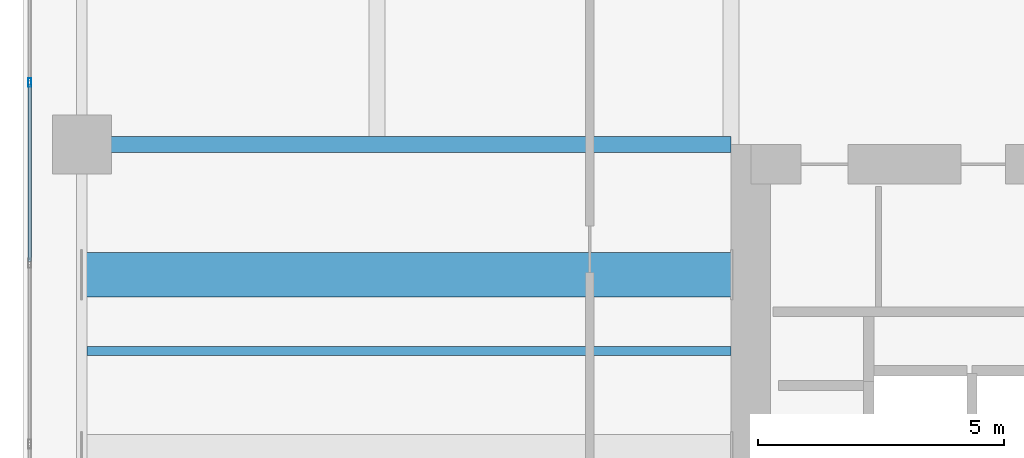
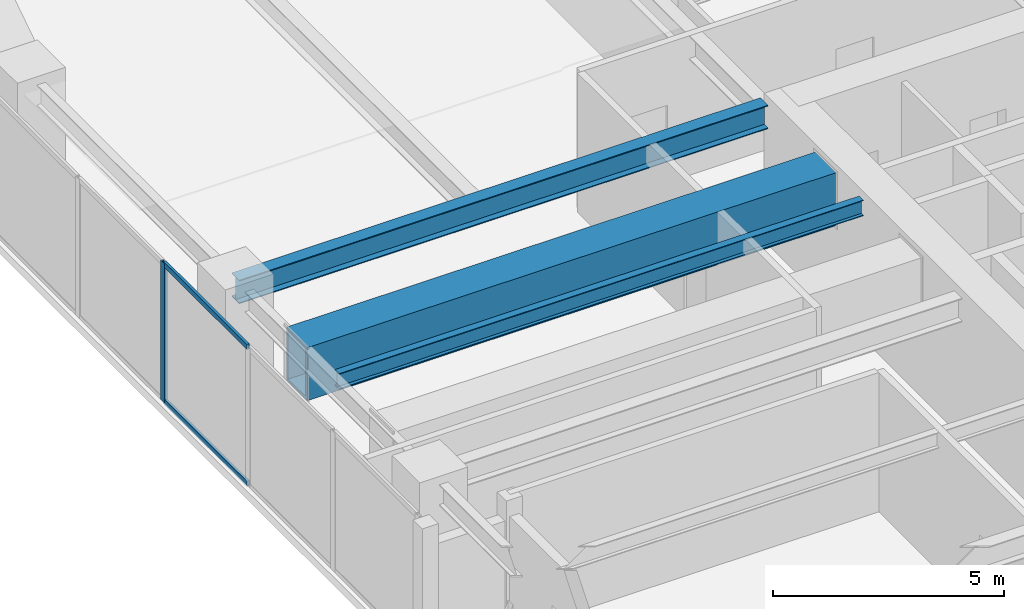
# One storey, part 6 of 30: 3 beams, 3 members, 1 element without a shape of its own.
"""IFC4 building model written with IfcOpenShell, lengths in metres."""

from ifc_helpers import new_model, si_unit, direction, frame, origin, origin_2d, place, context, subcontext, project, spatial, hollow_rectangle, i_section, extrude, material, layer, layer_set, material_profile, profile_set, type_object, element, aggregate, save


model = new_model("IFC4")

# Units and contexts
model_context = context("Model", 3, precision=1e-05, world=origin(), true_north=direction((0.0, 1.0)))
body_context = subcontext(model_context, "Body", "Model", "MODEL_VIEW")
ifc_project = project(units=[si_unit("LENGTHUNIT", "METRE"), si_unit("AREAUNIT", "SQUARE_METRE"), si_unit("VOLUMEUNIT", "CUBIC_METRE"), si_unit("PLANEANGLEUNIT", "RADIAN"), si_unit("MASSUNIT", "GRAM", prefix="KILO")], contexts=[model_context])

# Site, building, storey
site_placement = place(None, origin())
site = spatial("IfcSite", under=ifc_project, at=site_placement, CompositionType="ELEMENT")
building_placement = place(site_placement, origin())
building = spatial("IfcBuilding", under=site, at=building_placement, Name="Kiyonajd Concourse Tower", CompositionType="ELEMENT")
storey_placement = place(building_placement, frame((0.0, 0.0, 177.89990234375)))
storey = spatial("IfcBuildingStorey", under=building, at=storey_placement, Name="L45", CompositionType="ELEMENT", Elevation=177.89990234375)

# Beams
ifc_material_1 = material(Name="Steel ASTM A992 Grade 50", Category="steel")
ifc_material_profile_1 = material_profile(ifc_material_1, i_section(OverallWidth=0.180908203125, OverallDepth=0.4169921875, WebThickness=0.010986328125, FlangeThickness=0.018310546875, at=origin_2d()), Name="W410X85")
ifc_profile_set_1 = profile_set([ifc_material_profile_1], Name="Steel ASTM A992 Grade 50")
beam_type_1 = type_object("IfcBeamType", Name="BM-JST-410", PredefinedType="JOIST", material=ifc_profile_set_1)
beam_1_placement = place(storey_placement, frame((19.306884765625, 40.199951171875, 3.4716796875), z_axis=(1.0, 0.0, 0.0), x_axis=(0.0, 1.0, 0.0)))
element("IfcBeam", 1, at=beam_1_placement, inside=storey, type_object=beam_type_1, Name="L45 West Secondary Floor Joist", PredefinedType="JOIST", context=body_context, shape_type="SweptSolid", body=[
    extrude(i_section(OverallWidth=0.180908203125, OverallDepth=0.4169921875, WebThickness=0.010986328125, FlangeThickness=0.018310546875, at=origin_2d()), origin(), (0.0, 0.0, 1.0), 13.093017578125),
])
ifc_material_profile_2 = material_profile(ifc_material_1, i_section(OverallWidth=0.326904296875, OverallDepth=0.6220703125, WebThickness=0.015380859375, FlangeThickness=0.0244140625, at=origin_2d()), Name="W610X195")
ifc_profile_set_2 = profile_set([ifc_material_profile_2], Name="Steel ASTM A992 Grade 50")
beam_type_2 = type_object("IfcBeamType", Name="BM-TWR-610A", PredefinedType="BEAM", material=ifc_profile_set_2)
beam_2_placement = place(storey_placement, frame((19.199951171875, 44.39990234375, 3.369140625), z_axis=(1.0, 0.0, 0.0), x_axis=(0.0, 1.0, 0.0)))
element("IfcBeam", 2, at=beam_2_placement, inside=storey, type_object=beam_type_2, Name="L45 West Lease Girder", PredefinedType="BEAM", context=body_context, shape_type="SweptSolid", body=[
    extrude(i_section(OverallWidth=0.326904296875, OverallDepth=0.6220703125, WebThickness=0.015380859375, FlangeThickness=0.0244140625, at=origin_2d()), origin(), (0.0, 0.0, 1.0), 13.199951171875),
])
ifc_material_2 = material(Name="Steel ASTM A572 Grade 50", Category="steel")
ifc_material_profile_3 = material_profile(ifc_material_2, hollow_rectangle(XDim=0.89990234375, YDim=1.39990234375, WallThickness=0.070068359375, at=origin_2d()), Name="BOX-1400x900x70")
ifc_profile_set_3 = profile_set([ifc_material_profile_3], Name="Steel ASTM A572 Grade 50")
beam_type_3 = type_object("IfcBeamType", Name="BM-XFER-1400", PredefinedType="BEAM", material=ifc_profile_set_3)
beam_3_placement = place(storey_placement, frame((19.199951171875, 41.75, 2.97998046875), z_axis=(1.0, 0.0, 0.0), x_axis=(0.0, 1.0, 0.0)))
element("IfcBeam", 3, at=beam_3_placement, inside=storey, type_object=beam_type_3, Name="L45 Sky Garden Support Girder 2", PredefinedType="BEAM", context=body_context, shape_type="SweptSolid", body=[
    extrude(hollow_rectangle(XDim=0.89990234375, YDim=1.39990234375, WallThickness=0.070068359375, at=origin_2d()), origin(), (0.0, 0.0, 1.0), 13.199951171875),
])

# Curtain wall, members
ifc_material_3 = material(Name="Thermally Broken Anodised Aluminium", Category="aluminium")
ifc_layer = layer(ifc_material_3, 0.179931640625)
ifc_layer_set = layer_set([ifc_layer], Name="Thermally Broken Anodised Aluminium")
curtain_wall_type = type_object("IfcCurtainWallType", Name="CW-SYS-03", PredefinedType="NOTDEFINED", material=ifc_layer_set)
curtain_wall_placement = place(storey_placement, origin())
curtain_wall = element("IfcCurtainWall", 4, at=curtain_wall_placement, inside=storey, type_object=curtain_wall_type, Name="L45 Unitised Curtain Wall CW3", PredefinedType="NOTDEFINED")
ifc_material_profile_4 = material_profile(ifc_material_3, hollow_rectangle(XDim=0.06494140625, YDim=0.179931640625, WallThickness=0.00390625, at=origin_2d()), Name="MULL-65x180")
ifc_profile_set_4 = profile_set([ifc_material_profile_4], Name="Thermally Broken Anodised Aluminium")
member_type_1 = type_object("IfcMemberType", Name="MB-CW-MULL1", PredefinedType="MULLION", material=ifc_profile_set_4)
member_1_placement = place(storey_placement, frame((18.139892578125, 45.660888671875, 0.0), z_axis=(0.0, 0.0, 1.0), x_axis=(-1.0, 0.0, 0.0)))
member_1 = element("IfcMember", 5, at=member_1_placement, type_object=member_type_1, Name="CW3 mullion 4", PredefinedType="MULLION", context=body_context, shape_type="SweptSolid", body=[
    extrude(hollow_rectangle(XDim=0.06494140625, YDim=0.179931640625, WallThickness=0.00390625, at=origin_2d()), origin(), (0.0, 0.0, 1.0), 3.68017578125),
])
ifc_material_profile_5 = material_profile(ifc_material_3, hollow_rectangle(XDim=0.06494140625, YDim=0.139892578125, WallThickness=0.00390625, at=origin_2d()), Name="TRAN-65x140")
ifc_profile_set_5 = profile_set([ifc_material_profile_5], Name="Thermally Broken Anodised Aluminium")
member_type_2 = type_object("IfcMemberType", Name="MB-CW-TRAN1", PredefinedType="USERDEFINED", material=ifc_profile_set_5)
member_2_placement = place(storey_placement, frame((18.139892578125, 42.016357421875, 0.03271484375), z_axis=(0.0, 1.0, 0.0), x_axis=(-1.0, 0.0, 0.0)))
member_2 = element("IfcMember", 6, at=member_2_placement, type_object=member_type_2, Name="CW3 transom 3.1", ObjectType="TRANSOM", PredefinedType="USERDEFINED", context=body_context, shape_type="SweptSolid", body=[
    extrude(hollow_rectangle(XDim=0.06494140625, YDim=0.139892578125, WallThickness=0.00390625, at=origin_2d()), origin(), (0.0, 0.0, 1.0), 3.612060546875),
])
member_3_placement = place(storey_placement, frame((18.139892578125, 42.016357421875, 3.647705078125), z_axis=(0.0, 1.0, 0.0), x_axis=(-1.0, 0.0, 0.0)))
member_3 = element("IfcMember", 7, at=member_3_placement, type_object=member_type_2, Name="CW3 transom 3.2", ObjectType="TRANSOM", PredefinedType="USERDEFINED", context=body_context, shape_type="SweptSolid", body=[
    extrude(hollow_rectangle(XDim=0.06494140625, YDim=0.139892578125, WallThickness=0.00390625, at=origin_2d()), origin(), (0.0, 0.0, 1.0), 3.612060546875),
])
aggregate(curtain_wall, [member_1, member_2, member_3])

save(model, "model.ifc")
